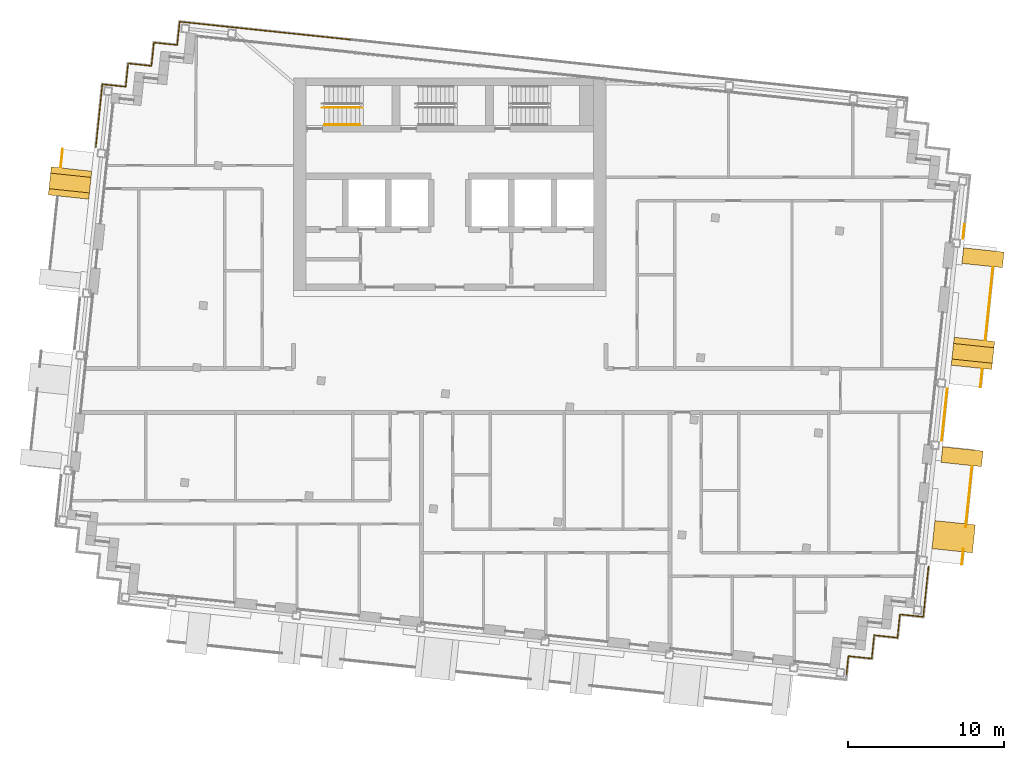
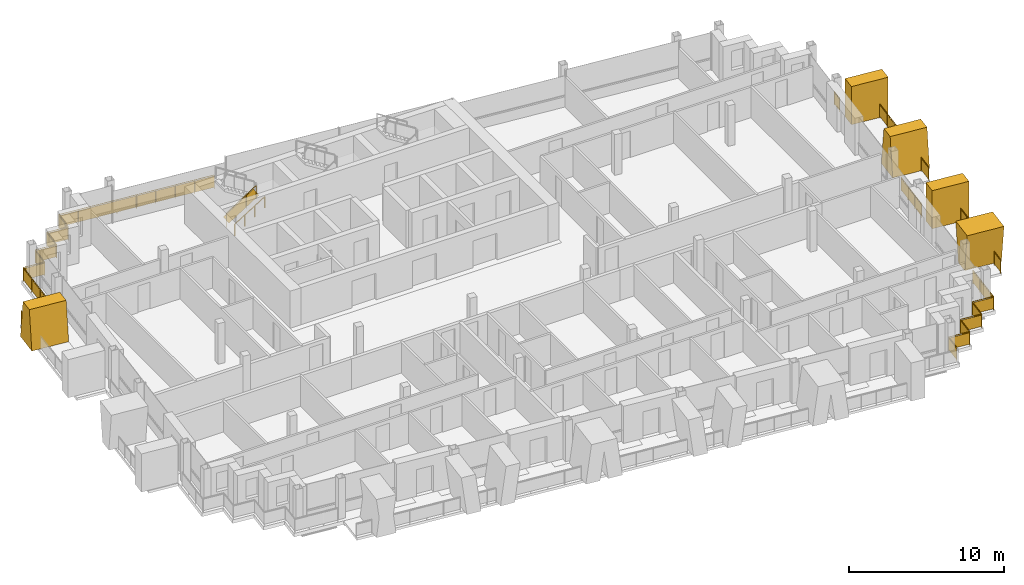
# One storey, part 15 of 17: 12 railings, 5 shading devices.
"""IFC4 building model written with IfcOpenShell, lengths in metres."""

from ifc_helpers import new_model, si_unit, direction, frame, origin, origin_2d, place, context, subcontext, project, spatial, polyline, rectangle, circle, outline, extrude, material, layer, layer_set, type_object, element, save


model = new_model("IFC4")

# Units and contexts
model_context = context("Model", 3, precision=1e-05, world=origin(), true_north=direction((0.0, 1.0)))
body_context = subcontext(model_context, "Body", "Model", "MODEL_VIEW")
ifc_project = project(units=[si_unit("LENGTHUNIT", "METRE"), si_unit("AREAUNIT", "SQUARE_METRE"), si_unit("VOLUMEUNIT", "CUBIC_METRE"), si_unit("PLANEANGLEUNIT", "RADIAN"), si_unit("MASSUNIT", "GRAM", prefix="KILO")], contexts=[model_context])

# Site, building, storey
site_placement = place(None, origin())
site = spatial("IfcSite", under=ifc_project, at=site_placement, CompositionType="ELEMENT")
building_placement = place(site_placement, origin())
building = spatial("IfcBuilding", under=site, at=building_placement, Name="Vidyagriha Tower", CompositionType="ELEMENT")
storey_placement = place(building_placement, frame((0.0, 0.0, 262.699951171875)))
storey = spatial("IfcBuildingStorey", under=building, at=storey_placement, Name="L68", CompositionType="ELEMENT", Elevation=262.699951171875)

# Railings
ifc_material_1 = material(Name="Steel ASTM A500 Grade C black painted", Category="steel")
railing_type_1 = type_object("IfcRailingType", Name="Balcony guard 1100", PredefinedType="BALUSTRADE", material=ifc_material_1)
railing_1_placement = place(storey_placement, frame((-24.7763671875, 15.435302734375, 0.0)))
element("IfcRailing", 1, at=railing_1_placement, inside=storey, type_object=railing_type_1, Name="Balcony guard L68 R14.1-1", PredefinedType="BALUSTRADE", context=body_context, shape_type="SweptSolid", body=[
    extrude(circle(Radius=0.02490234375, at=origin_2d()), frame((0.0, 0.0, 1.0751953125), z_axis=(-0.104651634646, -0.994508941823, 0.0), x_axis=(0.994508941823, -0.104651634646, 0.0)), (0.0, 0.0, 1.0), 1.150146484375),
    extrude(circle(Radius=0.02001953125, at=origin_2d()), origin(), (0.0, 0.0, 1.0), 1.050048828125),
    extrude(circle(Radius=0.02001953125, at=origin_2d()), frame((-0.120361328125, -1.143798828125, 0.0)), (0.0, 0.0, 1.0), 1.050048828125),
    extrude(rectangle(XDim=0.010009765625, YDim=0.900146484375, at=origin_2d()), frame((0.0, 0.0, 0.550048828125), z_axis=(-0.104651634646, -0.994508941823, 0.0), x_axis=(0.994508941823, -0.104651634646, 0.0)), (0.0, 0.0, 1.0), 1.150146484375),
])
railing_2_placement = place(storey_placement, frame((32.762451171875, -11.124755859375, 0.0)))
element("IfcRailing", 2, at=railing_2_placement, inside=storey, type_object=railing_type_1, Name="Balcony guard L68 R28.1-1", PredefinedType="BALUSTRADE", context=body_context, shape_type="SweptSolid", body=[
    extrude(circle(Radius=0.02490234375, at=origin_2d()), frame((0.0, 0.0, 1.0751953125), z_axis=(0.104595526741, 0.994514844427, 0.0), x_axis=(-0.994514844427, 0.104595526741, 0.0)), (0.0, 0.0, 1.0), 0.99658203125),
    extrude(circle(Radius=0.02001953125, at=origin_2d()), origin(), (0.0, 0.0, 1.0), 1.050048828125),
    extrude(circle(Radius=0.02001953125, at=origin_2d()), frame((0.104248046875, 0.9912109375, 0.0)), (0.0, 0.0, 1.0), 1.050048828125),
    extrude(rectangle(XDim=0.010009765625, YDim=0.900146484375, at=origin_2d()), frame((0.0, 0.0, 0.550048828125), z_axis=(0.104595526741, 0.994514844427, 0.0), x_axis=(-0.994514844427, 0.104595526741, 0.0)), (0.0, 0.0, 1.0), 0.99658203125),
])
railing_3_placement = place(storey_placement, frame((33.013671875, -8.734619140625, 0.0)))
element("IfcRailing", 3, at=railing_3_placement, inside=storey, type_object=railing_type_1, Name="Balcony guard L68 R28.1-2", PredefinedType="BALUSTRADE", context=body_context, shape_type="SweptSolid", body=[
    extrude(circle(Radius=0.02490234375, at=origin_2d()), frame((0.0, 0.0, 1.0751953125), z_axis=(0.104570632183, 0.994517462333, 0.0), x_axis=(-0.994517462333, 0.104570632183, 0.0)), (0.0, 0.0, 1.0), 3.896728515625),
    extrude(circle(Radius=0.02001953125, at=origin_2d()), origin(), (0.0, 0.0, 1.0), 1.050048828125),
    extrude(circle(Radius=0.02001953125, at=origin_2d()), frame((0.101806640625, 0.96875, 0.0)), (0.0, 0.0, 1.0), 1.050048828125),
    extrude(circle(Radius=0.02001953125, at=origin_2d()), frame((0.20361328125, 1.9375, 0.0)), (0.0, 0.0, 1.0), 1.050048828125),
    extrude(circle(Radius=0.02001953125, at=origin_2d()), frame((0.3056640625, 2.906494140625, 0.0)), (0.0, 0.0, 1.0), 1.050048828125),
    extrude(circle(Radius=0.02001953125, at=origin_2d()), frame((0.407470703125, 3.875244140625, 0.0)), (0.0, 0.0, 1.0), 1.050048828125),
    extrude(rectangle(XDim=0.010009765625, YDim=0.900146484375, at=origin_2d()), frame((0.0, 0.0, 0.550048828125), z_axis=(0.104570632183, 0.994517462333, 0.0), x_axis=(-0.994517462333, 0.104570632183, 0.0)), (0.0, 0.0, 1.0), 3.896728515625),
])
railing_4_placement = place(storey_placement, frame((33.9541015625, 0.212646484375, 0.0)))
element("IfcRailing", 4, at=railing_4_placement, inside=storey, type_object=railing_type_1, Name="Balcony guard L68 R28.2-1", PredefinedType="BALUSTRADE", context=body_context, shape_type="SweptSolid", body=[
    extrude(circle(Radius=0.02490234375, at=origin_2d()), frame((0.0, 0.0, 1.0751953125), z_axis=(0.104651634646, 0.994508941823, 0.0), x_axis=(-0.994508941823, 0.104651634646, 0.0)), (0.0, 0.0, 1.0), 1.150146484375),
    extrude(circle(Radius=0.02001953125, at=origin_2d()), origin(), (0.0, 0.0, 1.0), 1.050048828125),
    extrude(circle(Radius=0.02001953125, at=origin_2d()), frame((0.120361328125, 1.143798828125, 0.0)), (0.0, 0.0, 1.0), 1.050048828125),
    extrude(rectangle(XDim=0.010009765625, YDim=0.900146484375, at=origin_2d()), frame((0.0, 0.0, 0.550048828125), z_axis=(0.104651634646, 0.994508941823, 0.0), x_axis=(-0.994508941823, 0.104651634646, 0.0)), (0.0, 0.0, 1.0), 1.150146484375),
])
railing_5_placement = place(storey_placement, frame((34.27294921875, 3.24609375, 0.0)))
element("IfcRailing", 5, at=railing_5_placement, inside=storey, type_object=railing_type_1, Name="Balcony guard L68 R28.2-2", PredefinedType="BALUSTRADE", context=body_context, shape_type="SweptSolid", body=[
    extrude(circle(Radius=0.02490234375, at=origin_2d()), frame((0.0, 0.0, 1.0751953125), z_axis=(0.104534465087, 0.994521264533, 0.0), x_axis=(-0.994521264533, 0.104534465087, 0.0)), (0.0, 0.0, 1.0), 4.64990234375),
    extrude(circle(Radius=0.02001953125, at=origin_2d()), origin(), (0.0, 0.0, 1.0), 1.050048828125),
    extrude(circle(Radius=0.02001953125, at=origin_2d()), frame((0.12158203125, 1.15625, 0.0)), (0.0, 0.0, 1.0), 1.050048828125),
    extrude(circle(Radius=0.02001953125, at=origin_2d()), frame((0.2431640625, 2.312255859375, 0.0)), (0.0, 0.0, 1.0), 1.050048828125),
    extrude(circle(Radius=0.02001953125, at=origin_2d()), frame((0.364501953125, 3.46826171875, 0.0)), (0.0, 0.0, 1.0), 1.050048828125),
    extrude(circle(Radius=0.02001953125, at=origin_2d()), frame((0.486083984375, 4.62451171875, 0.0)), (0.0, 0.0, 1.0), 1.050048828125),
    extrude(rectangle(XDim=0.010009765625, YDim=0.900146484375, at=origin_2d()), frame((0.0, 0.0, 0.550048828125), z_axis=(0.104534465087, 0.994521264533, 0.0), x_axis=(-0.994521264533, 0.104534465087, 0.0)), (0.0, 0.0, 1.0), 4.64990234375),
])

# Shading devices
ifc_material_2 = material(Name="Precast concrete C40/50 with buff brick facing", Category="concrete")
ifc_layer_1 = layer(ifc_material_2, 1.0)
ifc_layer_set_1 = layer_set([ifc_layer_1], Name="Precast concrete C40/50 with buff brick facing")
shading_device_type_1 = type_object("IfcShadingDeviceType", Name="Brick-faced blade fin forking 8 degrees", PredefinedType="USERDEFINED", material=ifc_layer_set_1)
shading_device_1_placement = place(storey_placement, frame((-24.205810546875, 14.168701171875, 0.0), z_axis=(0.0, 0.0, 1.0), x_axis=(-0.104430625086, -0.99453217371, 0.0)))
element("IfcShadingDevice", 6, at=shading_device_1_placement, inside=storey, type_object=shading_device_type_1, Name="Forked blade fin L68 R14.330a", ObjectType="BLADE FIN", PredefinedType="USERDEFINED", context=body_context, shape_type="SweptSolid", body=[
    extrude(outline(polyline([(0.0, 0.0), (1.800048828125, 0.0), (1.39990234375, 3.0), (0.39990234375, 3.0), (0.0, 0.0)])), frame((0.0, 1.300048828125, 0.0), z_axis=(0.0, -1.0, 0.0), x_axis=(1.0, 0.0, 0.0)), (0.0, 0.0, 1.0), 2.60009765625),
])
shading_device_2_placement = place(storey_placement, frame((32.14990234375, -10.256103515625, 0.0), z_axis=(0.0, 0.0, 1.0), x_axis=(0.104564767339, 0.994518078987, 0.0)))
element("IfcShadingDevice", 7, at=shading_device_2_placement, inside=storey, type_object=shading_device_type_1, Name="Forked blade fin L68 R28.250a", ObjectType="BLADE FIN", PredefinedType="USERDEFINED", context=body_context, shape_type="SweptSolid", body=[
    extrude(outline(polyline([(0.39990234375, 0.0), (1.39990234375, 0.0), (1.800048828125, 3.0), (0.0, 3.0), (0.39990234375, 0.0)])), frame((0.0, 1.300048828125, 0.0), z_axis=(0.0, -1.0, 0.0), x_axis=(1.0, 0.0, 0.0)), (0.0, 0.0, 1.0), 2.60009765625),
])
shading_device_3_placement = place(storey_placement, frame((33.38330078125, 1.479248046875, 0.0), z_axis=(0.0, 0.0, 1.0), x_axis=(0.104564767339, 0.994518078987, 0.0)))
element("IfcShadingDevice", 8, at=shading_device_3_placement, inside=storey, type_object=shading_device_type_1, Name="Forked blade fin L68 R28.1390a", ObjectType="BLADE FIN", PredefinedType="USERDEFINED", context=body_context, shape_type="SweptSolid", body=[
    extrude(outline(polyline([(0.0, 0.0), (1.800048828125, 0.0), (1.39990234375, 3.0), (0.39990234375, 3.0), (0.0, 0.0)])), frame((0.0, 1.300048828125, 0.0), z_axis=(0.0, -1.0, 0.0), x_axis=(1.0, 0.0, 0.0)), (0.0, 0.0, 1.0), 2.60009765625),
])
ifc_material_3 = material(Name="Precast concrete C40/50 with buff brick facing", Category="concrete")
ifc_layer_2 = layer(ifc_material_3, 1.0)
ifc_layer_set_2 = layer_set([ifc_layer_2], Name="Precast concrete C40/50 with buff brick facing")
shading_device_type_2 = type_object("IfcShadingDeviceType", Name="Brick-faced blade fin stem 1000", PredefinedType="USERDEFINED", material=ifc_layer_set_2)
for number, where, z_axis, x_axis, name in (
    (9, (32.72998046875, -4.736328125, 0.0), (0.0, 0.0, 1.0), (0.104748335039, 0.99449876134, 0.0), "Stem blade fin L68 R28.990a"),
    (10, (34.068115234375, 7.993408203125, 0.0), (0.0, 0.0, 1.0), (0.104481464157, 0.994526834051, 0.0), "Stem blade fin L68 R28.2290a"),
):
    element("IfcShadingDevice", number, at=place(storey_placement, frame(where, z_axis=z_axis, x_axis=x_axis)), inside=storey, type_object=shading_device_type_2, Name=name, ObjectType="BLADE FIN", PredefinedType="USERDEFINED", context=body_context, shape_type="SweptSolid", body=[
        extrude(outline(polyline([(0.0, 0.0), (1.0, 0.0), (1.0, 3.0), (0.0, 3.0), (0.0, 0.0)])), frame((0.0, 1.300048828125, 0.0), z_axis=(0.0, -1.0, 0.0), x_axis=(1.0, 0.0, 0.0)), (0.0, 0.0, 1.0), 2.60009765625),
    ])

# Railings
ifc_material_4 = material(Name="Steel ASTM A500 Grade C black painted", Category="steel")
railing_type_2 = type_object("IfcRailingType", Name="Gallery guard 1100", PredefinedType="GUARDRAIL", material=ifc_material_4)
railing_6_placement = place(storey_placement, frame((-22.650390625, 15.57373046875, 0.0)))
element("IfcRailing", 11, at=railing_6_placement, inside=storey, type_object=railing_type_2, Name="Gallery guard L68 4", PredefinedType="GUARDRAIL", context=body_context, shape_type="SweptSolid", body=[
    extrude(circle(Radius=0.02490234375, at=origin_2d()), frame((0.0, 0.0, 1.0751953125), z_axis=(0.104546370699, 0.994520013058, 0.0), x_axis=(-0.994520013058, 0.104546370699, 0.0)), (0.0, 0.0, 1.0), 4.0400390625),
    extrude(circle(Radius=0.02490234375, at=origin_2d()), frame((0.42236328125, 4.017822265625, 1.0751953125), z_axis=(0.994526834051, -0.104481464157, 0.0), x_axis=(0.104481464157, 0.994526834051, 0.0)), (0.0, 0.0, 1.0), 1.500244140625),
    extrude(circle(Radius=0.02490234375, at=origin_2d()), frame((1.914306640625, 3.861083984375, 1.0751953125), z_axis=(0.104498377516, 0.994525057048, 0.0), x_axis=(-0.994525057048, 0.104498377516, 0.0)), (0.0, 0.0, 1.0), 1.5),
    extrude(circle(Radius=0.02490234375, at=origin_2d()), frame((2.071044921875, 5.352783203125, 1.0751953125), z_axis=(0.994525057048, -0.104498377516, 0.0), x_axis=(0.104498377516, 0.994525057048, 0.0)), (0.0, 0.0, 1.0), 1.5),
    extrude(circle(Radius=0.02490234375, at=origin_2d()), frame((3.562744140625, 5.196044921875, 1.0751953125), z_axis=(0.104498377516, 0.994525057048, 0.0), x_axis=(-0.994525057048, 0.104498377516, 0.0)), (0.0, 0.0, 1.0), 1.5),
    extrude(circle(Radius=0.02490234375, at=origin_2d()), frame((3.719482421875, 6.687744140625, 1.0751953125), z_axis=(0.994525057048, -0.104498377516, 0.0), x_axis=(0.104498377516, 0.994525057048, 0.0)), (0.0, 0.0, 1.0), 1.5),
    extrude(circle(Radius=0.02490234375, at=origin_2d()), frame((5.211181640625, 6.531005859375, 1.0751953125), z_axis=(0.10449150849, 0.994525778778, 0.0), x_axis=(-0.994525778778, 0.10449150849, 0.0)), (0.0, 0.0, 1.0), 0.460205078125),
    extrude(circle(Radius=0.02001953125, at=origin_2d()), origin(), (0.0, 0.0, 1.0), 1.050048828125),
    extrude(circle(Radius=0.02001953125, at=origin_2d()), frame((0.140869140625, 1.33935546875, 0.0)), (0.0, 0.0, 1.0), 1.050048828125),
    extrude(circle(Radius=0.02001953125, at=origin_2d()), frame((0.281494140625, 2.678466796875, 0.0)), (0.0, 0.0, 1.0), 1.050048828125),
    extrude(circle(Radius=0.02001953125, at=origin_2d()), frame((0.42236328125, 4.017822265625, 0.0)), (0.0, 0.0, 1.0), 1.050048828125),
    extrude(circle(Radius=0.02001953125, at=origin_2d()), frame((1.16845703125, 3.939453125, 0.0)), (0.0, 0.0, 1.0), 1.050048828125),
    extrude(circle(Radius=0.02001953125, at=origin_2d()), frame((1.914306640625, 3.861083984375, 0.0)), (0.0, 0.0, 1.0), 1.050048828125),
    extrude(circle(Radius=0.02001953125, at=origin_2d()), frame((2.071044921875, 5.352783203125, 0.0)), (0.0, 0.0, 1.0), 1.050048828125),
    extrude(circle(Radius=0.02001953125, at=origin_2d()), frame((3.562744140625, 5.196044921875, 0.0)), (0.0, 0.0, 1.0), 1.050048828125),
    extrude(circle(Radius=0.02001953125, at=origin_2d()), frame((3.719482421875, 6.687744140625, 0.0)), (0.0, 0.0, 1.0), 1.050048828125),
    extrude(circle(Radius=0.02001953125, at=origin_2d()), frame((5.211181640625, 6.531005859375, 0.0)), (0.0, 0.0, 1.0), 1.050048828125),
    extrude(circle(Radius=0.02001953125, at=origin_2d()), frame((5.25927734375, 6.98876953125, 0.0)), (0.0, 0.0, 1.0), 1.050048828125),
    extrude(rectangle(XDim=0.010009765625, YDim=0.900146484375, at=origin_2d()), frame((0.0, 0.0, 0.550048828125), z_axis=(0.104546370699, 0.994520013058, 0.0), x_axis=(-0.994520013058, 0.104546370699, 0.0)), (0.0, 0.0, 1.0), 4.0400390625),
    extrude(rectangle(XDim=0.010009765625, YDim=0.900146484375, at=origin_2d()), frame((0.42236328125, 4.017822265625, 0.550048828125), z_axis=(0.994526834051, -0.104481464157, 0.0), x_axis=(0.104481464157, 0.994526834051, 0.0)), (0.0, 0.0, 1.0), 1.500244140625),
    extrude(rectangle(XDim=0.010009765625, YDim=0.900146484375, at=origin_2d()), frame((1.914306640625, 3.861083984375, 0.550048828125), z_axis=(0.104498377516, 0.994525057048, 0.0), x_axis=(-0.994525057048, 0.104498377516, 0.0)), (0.0, 0.0, 1.0), 1.5),
    extrude(rectangle(XDim=0.010009765625, YDim=0.900146484375, at=origin_2d()), frame((2.071044921875, 5.352783203125, 0.550048828125), z_axis=(0.994525057048, -0.104498377516, 0.0), x_axis=(0.104498377516, 0.994525057048, 0.0)), (0.0, 0.0, 1.0), 1.5),
    extrude(rectangle(XDim=0.010009765625, YDim=0.900146484375, at=origin_2d()), frame((3.562744140625, 5.196044921875, 0.550048828125), z_axis=(0.104498377516, 0.994525057048, 0.0), x_axis=(-0.994525057048, 0.104498377516, 0.0)), (0.0, 0.0, 1.0), 1.5),
    extrude(rectangle(XDim=0.010009765625, YDim=0.900146484375, at=origin_2d()), frame((3.719482421875, 6.687744140625, 0.550048828125), z_axis=(0.994525057048, -0.104498377516, 0.0), x_axis=(0.104498377516, 0.994525057048, 0.0)), (0.0, 0.0, 1.0), 1.5),
    extrude(rectangle(XDim=0.010009765625, YDim=0.900146484375, at=origin_2d()), frame((5.211181640625, 6.531005859375, 0.550048828125), z_axis=(0.10449150849, 0.994525778778, 0.0), x_axis=(-0.994525778778, 0.10449150849, 0.0)), (0.0, 0.0, 1.0), 0.460205078125),
])
railing_7_placement = place(storey_placement, frame((-17.39111328125, 22.5625, 0.0)))
element("IfcRailing", 12, at=railing_7_placement, inside=storey, type_object=railing_type_2, Name="Gallery guard L68 5", PredefinedType="GUARDRAIL", context=body_context, shape_type="SweptSolid", body=[
    extrude(circle(Radius=0.02490234375, at=origin_2d()), frame((0.0, 0.0, 1.0751953125), z_axis=(0.104733680268, 0.994500304785, 0.0), x_axis=(-0.994500304785, 0.104733680268, 0.0)), (0.0, 0.0, 1.0), 1.03955078125),
    extrude(circle(Radius=0.02490234375, at=origin_2d()), frame((0.10888671875, 1.033935546875, 1.0751953125), z_axis=(0.994520943118, -0.104537522925, 0.0), x_axis=(0.104537522925, 0.994520943118, 0.0)), (0.0, 0.0, 1.0), 10.960205078125),
    extrude(circle(Radius=0.02001953125, at=origin_2d()), origin(), (0.0, 0.0, 1.0), 1.050048828125),
    extrude(circle(Radius=0.02001953125, at=origin_2d()), frame((0.10888671875, 1.033935546875, 0.0)), (0.0, 0.0, 1.0), 1.050048828125),
    extrude(circle(Radius=0.02001953125, at=origin_2d()), frame((1.471435546875, 0.890625, 0.0)), (0.0, 0.0, 1.0), 1.050048828125),
    extrude(circle(Radius=0.02001953125, at=origin_2d()), frame((2.833984375, 0.74755859375, 0.0)), (0.0, 0.0, 1.0), 1.050048828125),
    extrude(circle(Radius=0.02001953125, at=origin_2d()), frame((4.196533203125, 0.604248046875, 0.0)), (0.0, 0.0, 1.0), 1.050048828125),
    extrude(circle(Radius=0.02001953125, at=origin_2d()), frame((5.55908203125, 0.4609375, 0.0)), (0.0, 0.0, 1.0), 1.050048828125),
    extrude(circle(Radius=0.02001953125, at=origin_2d()), frame((6.92138671875, 0.31787109375, 0.0)), (0.0, 0.0, 1.0), 1.050048828125),
    extrude(circle(Radius=0.02001953125, at=origin_2d()), frame((8.283935546875, 0.174560546875, 0.0)), (0.0, 0.0, 1.0), 1.050048828125),
    extrude(circle(Radius=0.02001953125, at=origin_2d()), frame((9.646484375, 0.031494140625, 0.0)), (0.0, 0.0, 1.0), 1.050048828125),
    extrude(circle(Radius=0.02001953125, at=origin_2d()), frame((11.009033203125, -0.11181640625, 0.0)), (0.0, 0.0, 1.0), 1.050048828125),
    extrude(rectangle(XDim=0.010009765625, YDim=0.900146484375, at=origin_2d()), frame((0.0, 0.0, 0.550048828125), z_axis=(0.104733680268, 0.994500304785, 0.0), x_axis=(-0.994500304785, 0.104733680268, 0.0)), (0.0, 0.0, 1.0), 1.03955078125),
    extrude(rectangle(XDim=0.010009765625, YDim=0.900146484375, at=origin_2d()), frame((0.10888671875, 1.033935546875, 0.550048828125), z_axis=(0.994520943118, -0.104537522925, 0.0), x_axis=(0.104537522925, 0.994520943118, 0.0)), (0.0, 0.0, 1.0), 10.960205078125),
])
railing_8_placement = place(storey_placement, frame((32.93603515625, 10.615966796875, 0.0)))
element("IfcRailing", 13, at=railing_8_placement, inside=storey, type_object=railing_type_2, Name="Gallery guard L68 10", PredefinedType="GUARDRAIL", context=body_context, shape_type="SweptSolid", body=[
    extrude(circle(Radius=0.02490234375, at=origin_2d()), frame((0.0, 0.0, 1.0751953125), z_axis=(-0.104612561624, -0.99451305268, 0.0), x_axis=(0.99451305268, -0.104612561624, 0.0)), (0.0, 0.0, 1.0), 0.8798828125),
    extrude(circle(Radius=0.02001953125, at=origin_2d()), origin(), (0.0, 0.0, 1.0), 1.050048828125),
    extrude(circle(Radius=0.02001953125, at=origin_2d()), frame((-0.092041015625, -0.875, 0.0)), (0.0, 0.0, 1.0), 1.050048828125),
    extrude(rectangle(XDim=0.010009765625, YDim=0.900146484375, at=origin_2d()), frame((0.0, 0.0, 0.550048828125), z_axis=(-0.104612561624, -0.99451305268, 0.0), x_axis=(0.99451305268, -0.104612561624, 0.0)), (0.0, 0.0, 1.0), 0.8798828125),
])
railing_9_placement = place(storey_placement, frame((30.636474609375, -11.263427734375, 0.0)))
element("IfcRailing", 14, at=railing_9_placement, inside=storey, type_object=railing_type_2, Name="Gallery guard L68 11", PredefinedType="GUARDRAIL", context=body_context, shape_type="SweptSolid", body=[
    extrude(circle(Radius=0.02490234375, at=origin_2d()), frame((0.0, 0.0, 1.0751953125), z_axis=(-0.104590643799, -0.994515357966, 0.0), x_axis=(0.994515357966, -0.104590643799, 0.0)), (0.0, 0.0, 1.0), 3.239990234375),
    extrude(circle(Radius=0.02490234375, at=origin_2d()), frame((-0.3388671875, -3.22216796875, 1.0751953125), z_axis=(-0.994525057048, 0.104498377516, 0.0), x_axis=(-0.104498377516, -0.994525057048, 0.0)), (0.0, 0.0, 1.0), 1.5),
    extrude(circle(Radius=0.02490234375, at=origin_2d()), frame((-1.83056640625, -3.0654296875, 1.0751953125), z_axis=(-0.104498377516, -0.994525057048, 0.0), x_axis=(0.994525057048, -0.104498377516, 0.0)), (0.0, 0.0, 1.0), 1.5),
    extrude(circle(Radius=0.02490234375, at=origin_2d()), frame((-1.9873046875, -4.55712890625, 1.0751953125), z_axis=(-0.994525057048, 0.104498377516, 0.0), x_axis=(-0.104498377516, -0.994525057048, 0.0)), (0.0, 0.0, 1.0), 1.5),
    extrude(circle(Radius=0.02490234375, at=origin_2d()), frame((-3.47900390625, -4.400390625, 1.0751953125), z_axis=(-0.104659366031, -0.994508128223, 0.0), x_axis=(0.994508128223, -0.104659366031, 0.0)), (0.0, 0.0, 1.0), 1.5),
    extrude(circle(Radius=0.02490234375, at=origin_2d()), frame((-3.635986328125, -5.89208984375, 1.0751953125), z_axis=(-0.994525057048, 0.104498377516, 0.0), x_axis=(-0.104498377516, -0.994525057048, 0.0)), (0.0, 0.0, 1.0), 1.5),
    extrude(circle(Radius=0.02490234375, at=origin_2d()), frame((-5.127685546875, -5.7353515625, 1.0751953125), z_axis=(-0.104432637393, -0.994531962406, 0.0), x_axis=(0.994531962406, -0.104432637393, 0.0)), (0.0, 0.0, 1.0), 1.260009765625),
    extrude(circle(Radius=0.02001953125, at=origin_2d()), origin(), (0.0, 0.0, 1.0), 1.050048828125),
    extrude(circle(Radius=0.02001953125, at=origin_2d()), frame((-0.113037109375, -1.073974609375, 0.0)), (0.0, 0.0, 1.0), 1.050048828125),
    extrude(circle(Radius=0.02001953125, at=origin_2d()), frame((-0.225830078125, -2.148193359375, 0.0)), (0.0, 0.0, 1.0), 1.050048828125),
    extrude(circle(Radius=0.02001953125, at=origin_2d()), frame((-0.3388671875, -3.22216796875, 0.0)), (0.0, 0.0, 1.0), 1.050048828125),
    extrude(circle(Radius=0.02001953125, at=origin_2d()), frame((-1.83056640625, -3.0654296875, 0.0)), (0.0, 0.0, 1.0), 1.050048828125),
    extrude(circle(Radius=0.02001953125, at=origin_2d()), frame((-1.9873046875, -4.55712890625, 0.0)), (0.0, 0.0, 1.0), 1.050048828125),
    extrude(circle(Radius=0.02001953125, at=origin_2d()), frame((-3.47900390625, -4.400390625, 0.0)), (0.0, 0.0, 1.0), 1.050048828125),
    extrude(circle(Radius=0.02001953125, at=origin_2d()), frame((-3.635986328125, -5.89208984375, 0.0)), (0.0, 0.0, 1.0), 1.050048828125),
    extrude(circle(Radius=0.02001953125, at=origin_2d()), frame((-5.127685546875, -5.7353515625, 0.0)), (0.0, 0.0, 1.0), 1.050048828125),
    extrude(circle(Radius=0.02001953125, at=origin_2d()), frame((-5.25927734375, -6.988525390625, 0.0)), (0.0, 0.0, 1.0), 1.050048828125),
    extrude(rectangle(XDim=0.010009765625, YDim=0.900146484375, at=origin_2d()), frame((0.0, 0.0, 0.550048828125), z_axis=(-0.104590643799, -0.994515357966, 0.0), x_axis=(0.994515357966, -0.104590643799, 0.0)), (0.0, 0.0, 1.0), 3.239990234375),
    extrude(rectangle(XDim=0.010009765625, YDim=0.900146484375, at=origin_2d()), frame((-0.3388671875, -3.22216796875, 0.550048828125), z_axis=(-0.994525057048, 0.104498377516, 0.0), x_axis=(-0.104498377516, -0.994525057048, 0.0)), (0.0, 0.0, 1.0), 1.5),
    extrude(rectangle(XDim=0.010009765625, YDim=0.900146484375, at=origin_2d()), frame((-1.83056640625, -3.0654296875, 0.550048828125), z_axis=(-0.104498377516, -0.994525057048, 0.0), x_axis=(0.994525057048, -0.104498377516, 0.0)), (0.0, 0.0, 1.0), 1.5),
    extrude(rectangle(XDim=0.010009765625, YDim=0.900146484375, at=origin_2d()), frame((-1.9873046875, -4.55712890625, 0.550048828125), z_axis=(-0.994525057048, 0.104498377516, 0.0), x_axis=(-0.104498377516, -0.994525057048, 0.0)), (0.0, 0.0, 1.0), 1.5),
    extrude(rectangle(XDim=0.010009765625, YDim=0.900146484375, at=origin_2d()), frame((-3.47900390625, -4.400390625, 0.550048828125), z_axis=(-0.104659366031, -0.994508128223, 0.0), x_axis=(0.994508128223, -0.104659366031, 0.0)), (0.0, 0.0, 1.0), 1.5),
    extrude(rectangle(XDim=0.010009765625, YDim=0.900146484375, at=origin_2d()), frame((-3.635986328125, -5.89208984375, 0.550048828125), z_axis=(-0.994525057048, 0.104498377516, 0.0), x_axis=(-0.104498377516, -0.994525057048, 0.0)), (0.0, 0.0, 1.0), 1.5),
    extrude(rectangle(XDim=0.010009765625, YDim=0.900146484375, at=origin_2d()), frame((-5.127685546875, -5.7353515625, 0.550048828125), z_axis=(-0.104432637393, -0.994531962406, 0.0), x_axis=(0.994531962406, -0.104432637393, 0.0)), (0.0, 0.0, 1.0), 1.260009765625),
])
railing_10_placement = place(storey_placement, frame((31.827880859375, 0.07421875, 0.0)))
element("IfcRailing", 15, at=railing_10_placement, inside=storey, type_object=railing_type_2, Name="Gallery guard L68 13", PredefinedType="GUARDRAIL", context=body_context, shape_type="SweptSolid", body=[
    extrude(circle(Radius=0.02490234375, at=origin_2d()), frame((0.0, 0.0, 1.0751953125), z_axis=(-0.104506547029, -0.994524198614, 0.0), x_axis=(0.994524198614, -0.104506547029, 0.0)), (0.0, 0.0, 1.0), 3.280029296875),
    extrude(circle(Radius=0.02001953125, at=origin_2d()), origin(), (0.0, 0.0, 1.0), 1.050048828125),
    extrude(circle(Radius=0.02001953125, at=origin_2d()), frame((-0.1142578125, -1.08740234375, 0.0)), (0.0, 0.0, 1.0), 1.050048828125),
    extrude(circle(Radius=0.02001953125, at=origin_2d()), frame((-0.228515625, -2.174560546875, 0.0)), (0.0, 0.0, 1.0), 1.050048828125),
    extrude(circle(Radius=0.02001953125, at=origin_2d()), frame((-0.3427734375, -3.261962890625, 0.0)), (0.0, 0.0, 1.0), 1.050048828125),
    extrude(rectangle(XDim=0.010009765625, YDim=0.900146484375, at=origin_2d()), frame((0.0, 0.0, 0.550048828125), z_axis=(-0.104506547029, -0.994524198614, 0.0), x_axis=(0.994524198614, -0.104506547029, 0.0)), (0.0, 0.0, 1.0), 3.280029296875),
])
ifc_material_5 = material(Name="Steel ASTM A500 Grade C", Category="steel")
railing_type_3 = type_object("IfcRailingType", Name="Stair guard 1100 mm, steel balustrade", PredefinedType="GUARDRAIL", material=ifc_material_5)
railing_11_placement = place(storey_placement, frame((-8.0, 18.10009765625, 0.177734375)))
element("IfcRailing", 16, at=railing_11_placement, inside=storey, type_object=railing_type_3, Name="L68 ST1 stair guard 1", PredefinedType="GUARDRAIL", context=body_context, shape_type="SweptSolid", body=[
    extrude(circle(Radius=0.02392578125, at=origin_2d()), frame((0.0, 0.0, 1.076171875), z_axis=(0.84418770128, 0.0, 0.536047689118), x_axis=(0.0, 1.0, 0.0)), (0.0, 0.0, 1.0), 2.6533203125),
    extrude(circle(Radius=0.02099609375, at=origin_2d()), origin(), (0.0, 0.0, 1.0), 1.052001953125),
    extrude(circle(Radius=0.02099609375, at=origin_2d()), frame((0.74658203125, 0.0, 0.47412109375)), (0.0, 0.0, 1.0), 1.052001953125),
    extrude(circle(Radius=0.02099609375, at=origin_2d()), frame((1.493408203125, 0.0, 0.9482421875)), (0.0, 0.0, 1.0), 1.052001953125),
    extrude(circle(Radius=0.02099609375, at=origin_2d()), frame((2.239990234375, 0.0, 1.42236328125)), (0.0, 0.0, 1.0), 1.052001953125),
    extrude(rectangle(XDim=0.010009765625, YDim=0.761474609375, at=origin_2d()), frame((0.0, 0.0, 0.551025390625), z_axis=(0.84418770128, 0.0, 0.536047689118), x_axis=(0.0, 1.0, 0.0)), (0.0, 0.0, 1.0), 2.6533203125),
])
ifc_material_6 = material(Name="Steel ASTM A500 Grade C", Category="steel")
railing_type_4 = type_object("IfcRailingType", Name="Stair handrail 900 mm, steel", PredefinedType="HANDRAIL", material=ifc_material_6)
railing_12_placement = place(storey_placement, frame((-8.0, 17.0, 0.177734375)))
element("IfcRailing", 17, at=railing_12_placement, inside=storey, type_object=railing_type_4, Name="L68 ST1 stair handrail 1", PredefinedType="HANDRAIL", context=body_context, shape_type="SweptSolid", body=[
    extrude(circle(Radius=0.02392578125, at=origin_2d()), frame((0.0, 0.0, 0.8759765625), z_axis=(0.84418770128, 0.0, 0.536047689118), x_axis=(0.0, 1.0, 0.0)), (0.0, 0.0, 1.0), 2.6533203125),
    extrude(circle(Radius=0.02099609375, at=origin_2d()), origin(), (0.0, 0.0, 1.0), 0.851806640625),
    extrude(circle(Radius=0.02099609375, at=origin_2d()), frame((0.74658203125, 0.0, 0.47412109375)), (0.0, 0.0, 1.0), 0.851806640625),
    extrude(circle(Radius=0.02099609375, at=origin_2d()), frame((1.493408203125, 0.0, 0.9482421875)), (0.0, 0.0, 1.0), 0.851806640625),
    extrude(circle(Radius=0.02099609375, at=origin_2d()), frame((2.239990234375, 0.0, 1.42236328125)), (0.0, 0.0, 1.0), 0.851806640625),
])

save(model, "model.ifc")
